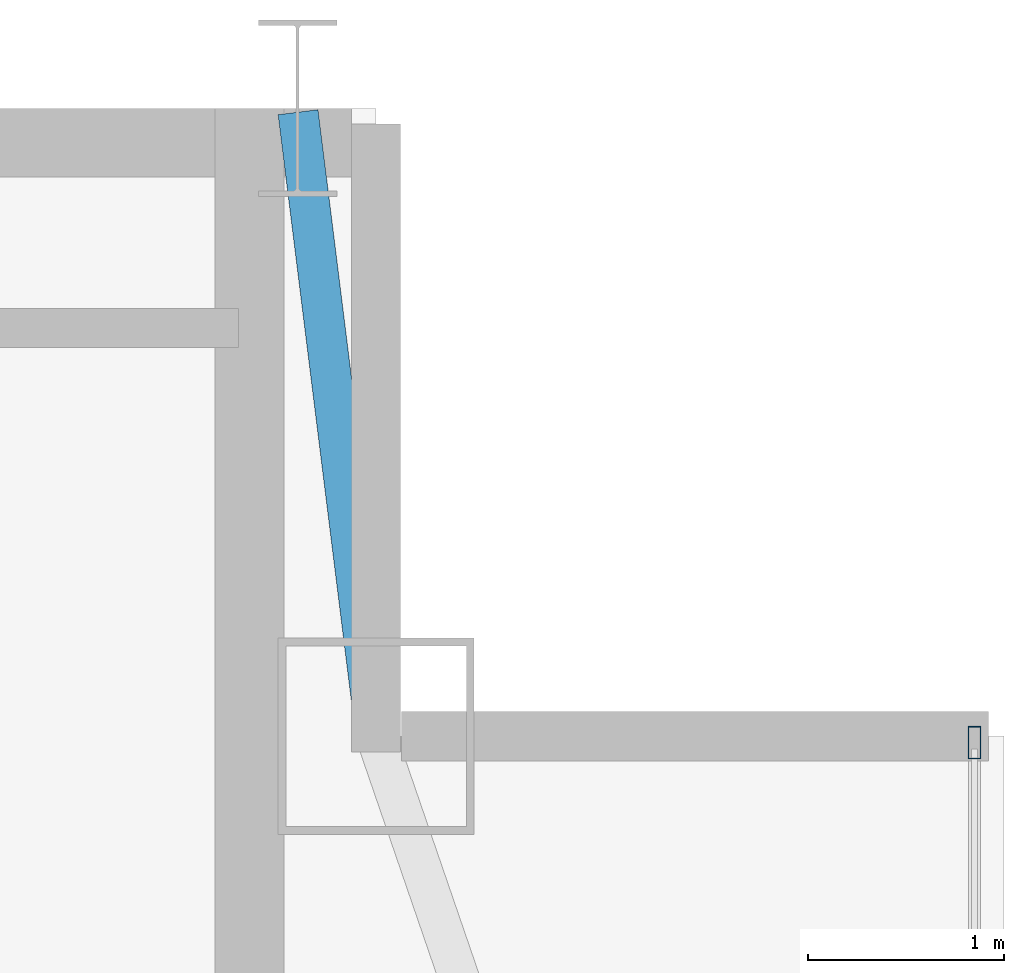
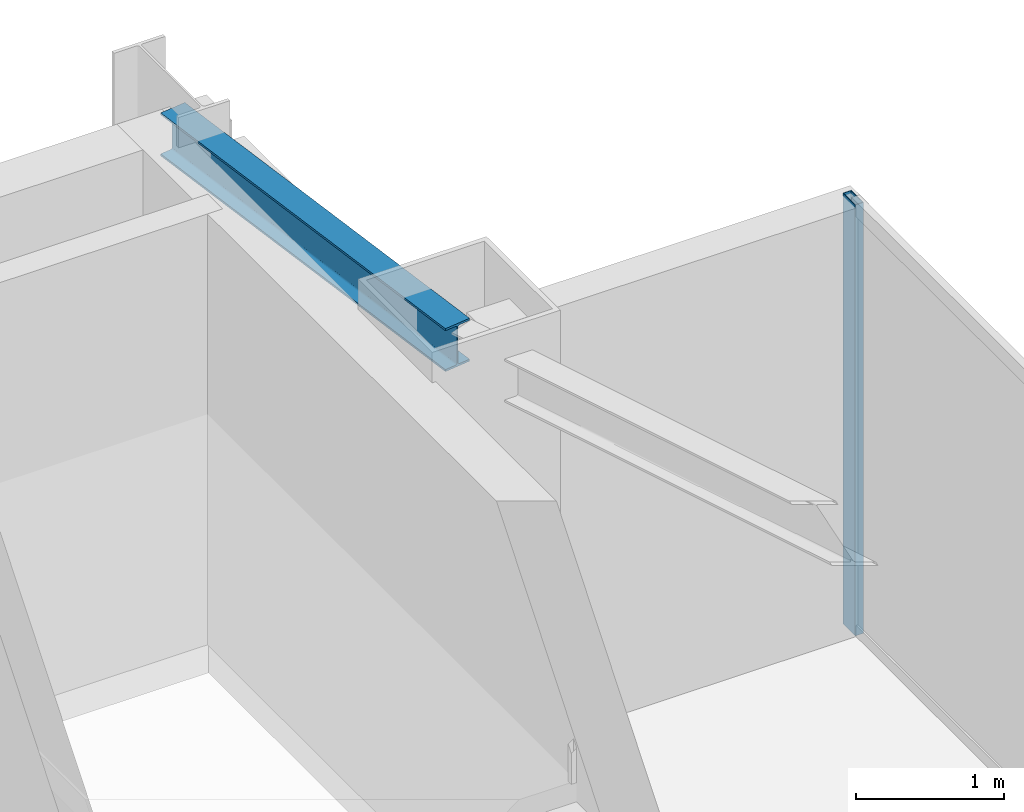
# One storey, part 17 of 25: 1 beam, 1 member, 1 element without a shape of its own.
"""IFC4 building model written with IfcOpenShell, lengths in metres."""

from ifc_helpers import new_model, si_unit, direction, frame, origin, origin_2d, place, context, subcontext, project, spatial, hollow_rectangle, i_section, extrude, source, transform, mapped, material, layer, layer_set, material_profile, profile_set, type_object, type_shapes, element, aggregate, save


model = new_model("IFC4")

# Units and contexts
model_context = context("Model", 3, precision=1e-05, world=origin(), true_north=direction((0.0, 1.0)))
body_context = subcontext(model_context, "Body", "Model", "MODEL_VIEW")
ifc_project = project(units=[si_unit("LENGTHUNIT", "METRE"), si_unit("AREAUNIT", "SQUARE_METRE"), si_unit("VOLUMEUNIT", "CUBIC_METRE"), si_unit("PLANEANGLEUNIT", "RADIAN"), si_unit("MASSUNIT", "GRAM", prefix="KILO")], contexts=[model_context])

# Site, building, storey
site_placement = place(None, origin())
site = spatial("IfcSite", under=ifc_project, at=site_placement, CompositionType="ELEMENT")
building_placement = place(site_placement, origin())
building = spatial("IfcBuilding", under=site, at=building_placement, Name="Varnel Quay Broadcast Tower", CompositionType="ELEMENT")
storey_placement = place(building_placement, frame((0.0, 0.0, 288.800048828125)))
storey = spatial("IfcBuildingStorey", under=building, at=storey_placement, Name="L72", CompositionType="ELEMENT", Elevation=288.800048828125)

# Beam
ifc_material_1 = material(Name="Structural Steel CSA G40.21 350W", Category="steel")
ifc_material_profile_1 = material_profile(ifc_material_1, i_section(OverallWidth=0.205078125, OverallDepth=0.35400390625, WebThickness=0.009521484375, FlangeThickness=0.016845703125, FilletRadius=0.012939453125, at=origin_2d()), Name="W360X79")
ifc_profile_set_1 = profile_set([ifc_material_profile_1], Name="Structural Steel CSA G40.21 350W")
beam_type = type_object("IfcBeamType", Name="Beam_W360X79", PredefinedType="SPANDREL", material=ifc_profile_set_1)
shared_shape_1 = source(origin(), body_context, "Body", "SweptSolid", [
    extrude(i_section(OverallWidth=0.205078125, OverallDepth=0.35400390625, WebThickness=0.009521484375, FlangeThickness=0.016845703125, FilletRadius=0.012939453125, at=origin_2d()), origin(), (0.0, 0.0, 1.0), 3.18505859375),
])
type_shapes(beam_type, [shared_shape_1])
beam_placement = place(storey_placement, frame((52.402587890625, 46.7802734375, 3.373046875), z_axis=(0.124025300311, -0.992279055953, 0.0), x_axis=(0.992279055953, 0.124025300311, 0.0)))
element("IfcBeam", 1, at=beam_placement, inside=storey, type_object=beam_type, Name="L72 NE Tie Spandrel", PredefinedType="SPANDREL", context=body_context, shape_type="MappedRepresentation", body=[
    mapped(shared_shape_1, transform((0.0, 0.0, 0.0), x_axis=(1.0, 0.0, 0.0), y_axis=(0.0, 1.0, 0.0), z_axis=(0.0, 0.0, 1.0), scale=1.0)),
])

# Curtain wall, member
ifc_material_2 = material(Name="Anodised Bronze Aluminium 6063-T6", Category="aluminium")
ifc_layer = layer(ifc_material_2, 0.18994140625, Name="Anodised Bronze Aluminium 6063-T6")
ifc_layer_set = layer_set([ifc_layer], Name="Anodised Bronze Aluminium 6063-T6")
curtain_wall_type = type_object("IfcCurtainWallType", Name="CW_UpperTower", PredefinedType="NOTDEFINED", material=ifc_layer_set)
curtain_wall_placement = place(storey_placement, origin())
curtain_wall = element("IfcCurtainWall", 2, at=curtain_wall_placement, inside=storey, type_object=curtain_wall_type, Name="L72 East Unitised Curtain Wall", PredefinedType="NOTDEFINED")
ifc_material_profile_2 = material_profile(ifc_material_2, hollow_rectangle(XDim=0.06494140625, YDim=0.1650390625, WallThickness=0.00341796875, at=origin_2d()), Name="ALU65X165X3.5")
ifc_profile_set_2 = profile_set([ifc_material_profile_2], Name="Anodised Bronze Aluminium 6063-T6")
member_type = type_object("IfcMemberType", Name="Mull_CWS-03", PredefinedType="MULLION", material=ifc_profile_set_2)
shared_shape_2 = source(origin(), body_context, "Body", "SweptSolid", [
    extrude(hollow_rectangle(XDim=0.06494140625, YDim=0.1650390625, WallThickness=0.00341796875, at=origin_2d()), origin(), (0.0, 0.0, 1.0), 3.550048828125),
])
type_shapes(member_type, [shared_shape_2])
member_placement = place(storey_placement, frame((55.85009765625, 43.5673828125, 0.0), z_axis=(0.0, 0.0, 1.0), x_axis=(-1.0, 0.0, 0.0)))
member = element("IfcMember", 3, at=member_placement, type_object=member_type, Name="CWS-03 mullion 3", PredefinedType="MULLION", context=body_context, shape_type="MappedRepresentation", body=[
    mapped(shared_shape_2, transform((0.0, 0.0, 0.0), x_axis=(1.0, 0.0, 0.0), y_axis=(0.0, 1.0, 0.0), z_axis=(0.0, 0.0, 1.0), scale=1.0)),
])
aggregate(curtain_wall, [member])

save(model, "model.ifc")
